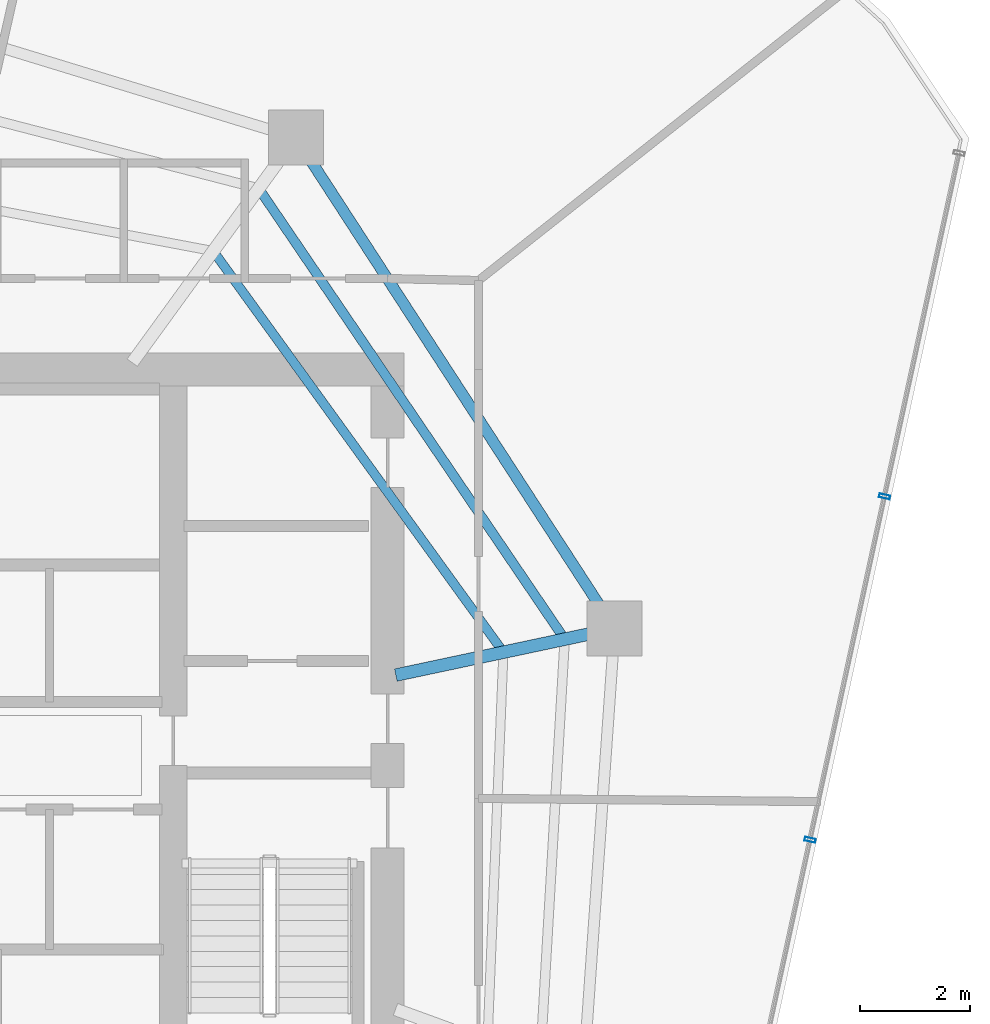
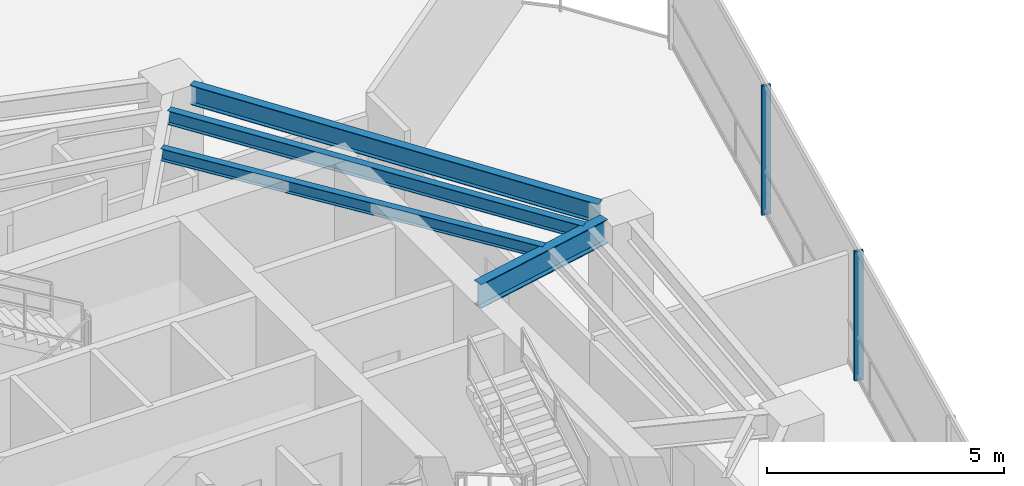
# One storey, part 11 of 21: 4 beams, 2 members, 1 element without a shape of its own.
"""IFC4 building model written with IfcOpenShell, lengths in metres."""

from ifc_helpers import new_model, si_unit, direction, frame, origin, origin_2d, place, context, subcontext, project, spatial, hollow_rectangle, i_section, extrude, material, layer, layer_set, material_profile, profile_set, type_object, element, aggregate, save


model = new_model("IFC4")

# Units and contexts
model_context = context("Model", 3, precision=1e-05, world=origin(), true_north=direction((0.0, 1.0)))
body_context = subcontext(model_context, "Body", "Model", "MODEL_VIEW")
ifc_project = project(units=[si_unit("LENGTHUNIT", "METRE"), si_unit("AREAUNIT", "SQUARE_METRE"), si_unit("VOLUMEUNIT", "CUBIC_METRE"), si_unit("PLANEANGLEUNIT", "RADIAN"), si_unit("MASSUNIT", "GRAM", prefix="KILO")], contexts=[model_context])

# Site, building, storey
site_placement = place(None, origin())
site = spatial("IfcSite", under=ifc_project, at=site_placement, CompositionType="ELEMENT")
building_placement = place(site_placement, origin())
building = spatial("IfcBuilding", under=site, at=building_placement, Name="Qarnah Convention Tower", CompositionType="ELEMENT")
storey_placement = place(building_placement, frame((0.0, 0.0, 132.89990234375)))
storey = spatial("IfcBuildingStorey", under=building, at=storey_placement, Name="L35", CompositionType="ELEMENT", Elevation=132.89990234375)

# Beams
ifc_material_1 = material(Name="Structural steel S355JR", Category="steel")
ifc_material_profile_1 = material_profile(ifc_material_1, i_section(OverallWidth=0.166015625, OverallDepth=0.31201171875, WebThickness=0.007080078125, FlangeThickness=0.010986328125, at=origin_2d()), Name="W310X45")
ifc_profile_set_1 = profile_set([ifc_material_profile_1], Name="Structural steel S355JR")
beam_type_1 = type_object("IfcBeamType", Name="BM-JST-W310", PredefinedType="JOIST", material=ifc_profile_set_1)
beam_1_placement = place(storey_placement, frame((49.65087890625, 29.1298828125, 3.1640625), z_axis=(-0.586082668217, 0.810251261039, 0.0), x_axis=(-0.810251261039, -0.586082668217, 0.0)))
element("IfcBeam", 1, at=beam_1_placement, inside=storey, type_object=beam_type_1, Name="L35 joist BM-L35-IJST-01", PredefinedType="JOIST", context=body_context, shape_type="SweptSolid", body=[
    extrude(i_section(OverallWidth=0.166015625, OverallDepth=0.31201171875, WebThickness=0.007080078125, FlangeThickness=0.010986328125, at=origin_2d()), origin(), (0.0, 0.0, 1.0), 8.819580078125),
])
ifc_material_profile_2 = material_profile(ifc_material_1, i_section(OverallWidth=0.172119140625, OverallDepth=0.35595703125, WebThickness=0.007080078125, FlangeThickness=0.011962890625, at=origin_2d()), Name="W360X51")
ifc_profile_set_2 = profile_set([ifc_material_profile_2], Name="Structural steel S355JR")
beam_type_2 = type_object("IfcBeamType", Name="BM-JST-W360", PredefinedType="JOIST", material=ifc_profile_set_2)
beam_2_placement = place(storey_placement, frame((50.76708984375, 29.367919921875, 3.14208984375), z_axis=(-0.561639559015, 0.827382019233, 0.0), x_axis=(-0.827382019233, -0.561639559015, 0.0)))
element("IfcBeam", 2, at=beam_2_placement, inside=storey, type_object=beam_type_2, Name="L35 joist BM-L35-SJST-01", PredefinedType="JOIST", context=body_context, shape_type="SweptSolid", body=[
    extrude(i_section(OverallWidth=0.172119140625, OverallDepth=0.35595703125, WebThickness=0.007080078125, FlangeThickness=0.011962890625, at=origin_2d()), origin(), (0.0, 0.0, 1.0), 9.7236328125),
])
ifc_material_profile_3 = material_profile(ifc_material_1, i_section(OverallWidth=0.22998046875, OverallDepth=0.617919921875, WebThickness=0.012939453125, FlangeThickness=0.02197265625, at=origin_2d()), Name="W610X140")
ifc_profile_set_3 = profile_set([ifc_material_profile_3], Name="Structural steel S355JR")
beam_type_3 = type_object("IfcBeamType", Name="BM-RAD-W610A", PredefinedType="BEAM", material=ifc_profile_set_3)
beam_3_placement = place(storey_placement, frame((47.7470703125, 28.64111328125, 3.010986328125), z_axis=(0.978133929389, 0.207975999045, 0.0), x_axis=(-0.207975999045, 0.978133929389, 0.0)))
element("IfcBeam", 3, at=beam_3_placement, inside=storey, type_object=beam_type_3, Name="L35 beam BM-L35-RAD-01", PredefinedType="BEAM", context=body_context, shape_type="SweptSolid", body=[
    extrude(i_section(OverallWidth=0.22998046875, OverallDepth=0.617919921875, WebThickness=0.012939453125, FlangeThickness=0.02197265625, at=origin_2d()), origin(), (0.0, 0.0, 1.0), 3.586181640625),
])
ifc_material_profile_4 = material_profile(ifc_material_1, i_section(OverallWidth=0.199951171875, OverallDepth=0.5, WebThickness=0.010009765625, FlangeThickness=0.01611328125, at=origin_2d()), Name="IPE500")
ifc_profile_set_4 = profile_set([ifc_material_profile_4], Name="Structural steel S355JR")
beam_type_4 = type_object("IfcBeamType", Name="BM-SPN-IPE500", PredefinedType="SPANDREL", material=ifc_profile_set_4)
beam_4_placement = place(storey_placement, frame((51.4580078125, 29.89794921875, 3.070068359375), z_axis=(-0.544531816504, 0.838740186717, 0.0), x_axis=(-0.838740186717, -0.544531816504, 0.0)))
element("IfcBeam", 4, at=beam_4_placement, inside=storey, type_object=beam_type_4, Name="L35 spandrel BM-L35-SPN-01", PredefinedType="SPANDREL", context=body_context, shape_type="SweptSolid", body=[
    extrude(i_section(OverallWidth=0.199951171875, OverallDepth=0.5, WebThickness=0.010009765625, FlangeThickness=0.01611328125, at=origin_2d()), origin(), (0.0, 0.0, 1.0), 9.663330078125),
])

# Curtain wall, members
ifc_material_2 = material(Name="Tempered Low-E dark glass", Category="glass")
ifc_layer = layer(ifc_material_2, 0.172119140625)
ifc_layer_set = layer_set([ifc_layer], Name="Tempered Low-E dark glass")
curtain_wall_type = type_object("IfcCurtainWallType", Name="CWS-03", PredefinedType="NOTDEFINED", material=ifc_layer_set)
curtain_wall_placement = place(storey_placement, origin())
curtain_wall = element("IfcCurtainWall", 5, at=curtain_wall_placement, inside=storey, type_object=curtain_wall_type, Name="L35 unitised curtain wall CW-L35-F3", PredefinedType="NOTDEFINED")
ifc_material_3 = material(Name="Black anodised aluminium", Category="aluminium")
ifc_material_profile_5 = material_profile(ifc_material_3, hollow_rectangle(XDim=0.070068359375, YDim=0.199951171875, WallThickness=0.0048828125, at=origin_2d()), Name="MUL-70X200")
ifc_profile_set_5 = profile_set([ifc_material_profile_5], Name="Black anodised aluminium")
member_type = type_object("IfcMemberType", Name="MUL-T3", PredefinedType="MULLION", material=ifc_profile_set_5)
member_1_placement = place(storey_placement, frame((56.6328125, 31.888916015625, 0.0), z_axis=(0.0, 0.0, 1.0), x_axis=(-0.21201753146, -0.977265862677, 0.0)))
member_1 = element("IfcMember", 6, at=member_1_placement, type_object=member_type, Name="CW-L35-F3 mullion 2", PredefinedType="MULLION", context=body_context, shape_type="SweptSolid", body=[
    extrude(hollow_rectangle(XDim=0.070068359375, YDim=0.199951171875, WallThickness=0.0048828125, at=origin_2d()), origin(), (0.0, 0.0, 1.0), 3.320068359375),
])
member_2_placement = place(storey_placement, frame((55.278564453125, 25.64697265625, 0.0), z_axis=(0.0, 0.0, 1.0), x_axis=(-0.21201753146, -0.977265862677, 0.0)))
member_2 = element("IfcMember", 7, at=member_2_placement, type_object=member_type, Name="CW-L35-F3 mullion 3", PredefinedType="MULLION", context=body_context, shape_type="SweptSolid", body=[
    extrude(hollow_rectangle(XDim=0.070068359375, YDim=0.199951171875, WallThickness=0.0048828125, at=origin_2d()), origin(), (0.0, 0.0, 1.0), 3.320068359375),
])
aggregate(curtain_wall, [member_1, member_2])

save(model, "model.ifc")
